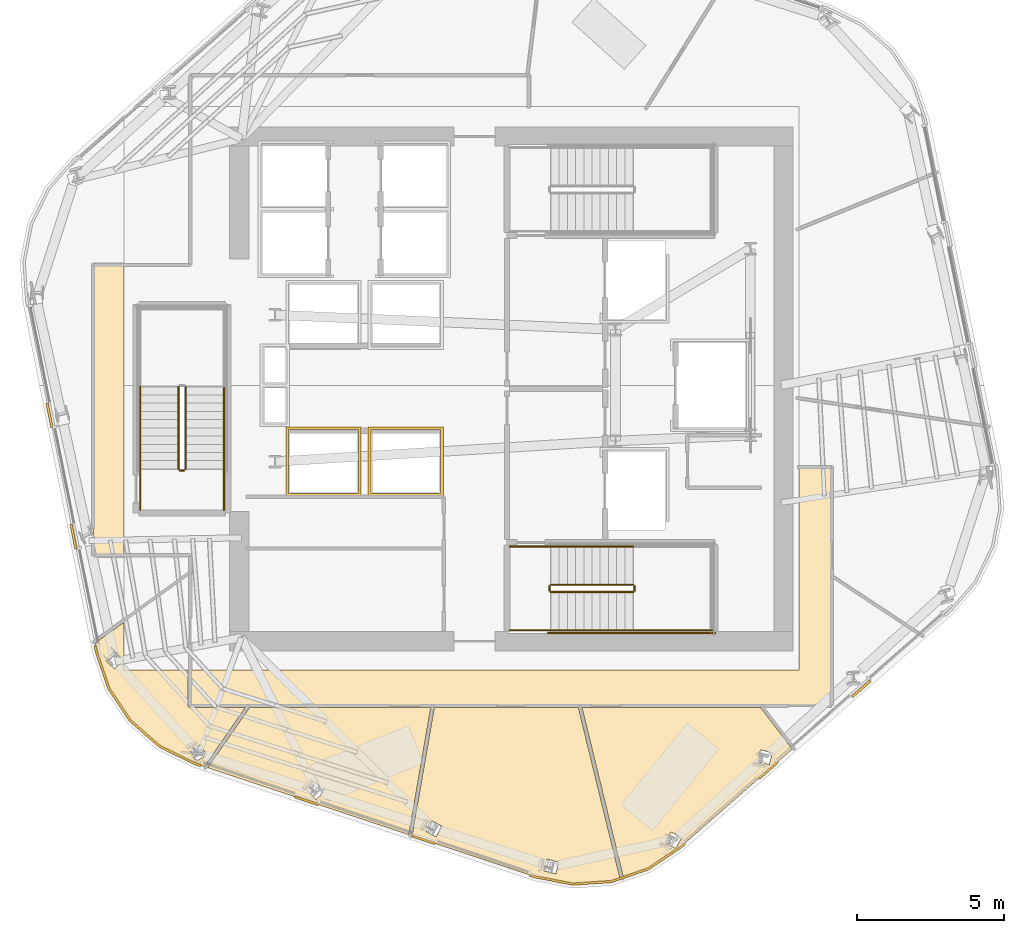
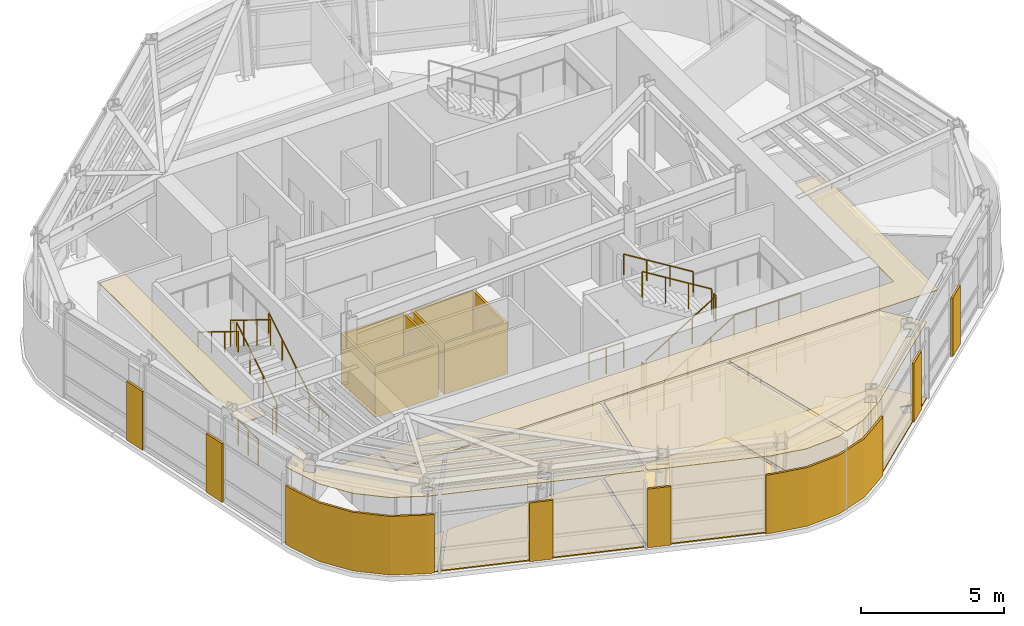
# One storey, part 11 of 15: 20 coverings, 17 railings.
"""IFC4 building model written with IfcOpenShell, lengths in metres."""

from ifc_helpers import new_model, si_unit, direction, frame, origin, origin_2d, place, context, subcontext, project, spatial, polyline, circle, outline, extrude, material, layer, layer_set, type_object, element, save


model = new_model("IFC4")

# Units and contexts
model_context = context("Model", 3, precision=1e-05, world=origin(), true_north=direction((0.0, 1.0)))
body_context = subcontext(model_context, "Body", "Model", "MODEL_VIEW")
ifc_project = project(units=[si_unit("LENGTHUNIT", "METRE"), si_unit("AREAUNIT", "SQUARE_METRE"), si_unit("VOLUMEUNIT", "CUBIC_METRE"), si_unit("PLANEANGLEUNIT", "RADIAN"), si_unit("MASSUNIT", "GRAM", prefix="KILO")], contexts=[model_context])

# Site, building, storey
site_placement = place(None, origin())
site = spatial("IfcSite", under=ifc_project, at=site_placement, CompositionType="ELEMENT")
building_placement = place(site_placement, origin())
building = spatial("IfcBuilding", under=site, at=building_placement, Name="Valkerne Bourse Tower", CompositionType="ELEMENT")
storey_placement = place(building_placement, frame((0.0, 0.0, 201.800048828125)))
storey = spatial("IfcBuildingStorey", under=building, at=storey_placement, Name="L51", CompositionType="ELEMENT", Elevation=201.800048828125)

# Coverings
ifc_material_1 = material(Name="Mineral Fiber Acoustic Ceiling Tile", Category="acoustic")
ifc_layer_1 = layer(ifc_material_1, 0.02490234375)
ifc_layer_set_1 = layer_set([ifc_layer_1], Name="Mineral Fiber Acoustic Ceiling Tile")
covering_type_1 = type_object("IfcCoveringType", Name="COV-CEIL-ACT", PredefinedType="CEILING", material=ifc_layer_set_1)
covering_1_placement = place(storey_placement, frame((0.0, 0.0, 3.25)))
element("IfcCovering", 1, at=covering_1_placement, inside=storey, type_object=covering_type_1, Name="L51 Suspended Ceiling 04", PredefinedType="CEILING", context=body_context, shape_type="SweptSolid", body=[
    extrude(outline(polyline([(33.8251953125, 15.561279296875), (33.08935546875, 16.656494140625), (32.658935546875, 17.913818359375), (32.601318359375, 18.2041015625), (33.60009765625, 18.925537109375), (33.60009765625, 17.300048828125), (35.781005859375, 17.300048828125), (35.781005859375, 16.07958984375), (35.787353515625, 16.05078125), (35.81396484375, 16.02099609375), (35.849365234375, 16.010986328125), (37.729248046875, 16.010986328125), (36.333740234375, 14.00244140625), (36.01318359375, 14.109375), (34.819580078125, 14.69384765625), (33.8251953125, 15.561279296875)]), holes=[polyline([(36.205322265625, 14.74755859375), (36.20361328125, 14.7490234375), (35.849609375, 14.538818359375), (36.060302734375, 14.182861328125), (36.06201171875, 14.181396484375), (36.416015625, 14.3916015625), (36.205322265625, 14.74755859375)]), polyline([(33.56689453125, 17.62548828125), (33.27197265625, 17.91162109375), (32.983154296875, 17.614501953125), (32.984619140625, 17.612548828125), (33.279296875, 17.326416015625), (33.568115234375, 17.623291015625), (33.56689453125, 17.62548828125)])]), origin(), (0.0, 0.0, 1.0), 0.02490234375),
])
covering_2_placement = place(storey_placement, frame((0.0, 0.0, 3.25)))
element("IfcCovering", 2, at=covering_2_placement, inside=storey, type_object=covering_type_1, Name="L51 Suspended Ceiling 05", PredefinedType="CEILING", context=body_context, shape_type="SweptSolid", body=[
    extrude(outline(polyline([(44.052001953125, 16.010986328125), (43.30419921875, 11.682373046875), (36.450439453125, 13.963623046875), (37.872802734375, 16.010986328125), (44.052001953125, 16.010986328125)]), holes=[polyline([(40.14111328125, 13.46728515625), (40.138916015625, 13.46826171875), (39.849853515625, 13.175048828125), (40.14404296875, 12.88427734375), (40.14599609375, 12.88330078125), (40.435302734375, 13.176513671875), (40.14111328125, 13.46728515625)])]), origin(), (0.0, 0.0, 1.0), 0.02490234375),
])
covering_3_placement = place(storey_placement, frame((0.0, 0.0, 3.25)))
element("IfcCovering", 3, at=covering_3_placement, inside=storey, type_object=covering_type_1, Name="L51 Suspended Ceiling 06", PredefinedType="CEILING", context=body_context, shape_type="SweptSolid", body=[
    extrude(outline(polyline([(50.6171875, 10.2294921875), (49.207763671875, 16.010986328125), (55.302001953125, 16.010986328125), (56.37451171875, 14.59814453125), (52.561279296875, 11.2587890625), (51.4580078125, 10.517333984375), (50.6171875, 10.2294921875)]), holes=[polyline([(52.603515625, 11.574462890625), (52.2451171875, 11.7763671875), (52.24267578125, 11.775634765625), (52.040283203125, 11.41455078125), (52.398681640625, 11.212646484375), (52.401123046875, 11.21337890625), (52.603515625, 11.574462890625)]), polyline([(55.6953125, 14.47119140625), (55.29736328125, 14.575439453125), (55.29541015625, 14.57421875), (55.19140625, 14.173583984375), (55.58935546875, 14.0693359375), (55.59130859375, 14.070556640625), (55.6953125, 14.47119140625)])]), origin(), (0.0, 0.0, 1.0), 0.02490234375),
])
covering_4_placement = place(storey_placement, frame((0.0, 0.0, 3.25)))
element("IfcCovering", 4, at=covering_4_placement, inside=storey, type_object=covering_type_1, Name="L51 Suspended Ceiling 07", PredefinedType="CEILING", context=body_context, shape_type="SweptSolid", body=[
    extrude(outline(polyline([(47.5888671875, 10.256103515625), (43.41748046875, 11.64453125), (44.171630859375, 16.010986328125), (49.086181640625, 16.010986328125), (50.5048828125, 10.191162109375), (50.209716796875, 10.090087890625), (48.89306640625, 10.000244140625), (47.5888671875, 10.256103515625)]), holes=[polyline([(44.071533203125, 12.16650390625), (44.0693359375, 12.1669921875), (43.870849609375, 11.80615234375), (44.23291015625, 11.606201171875), (44.235107421875, 11.60595703125), (44.43359375, 11.966552734375), (44.071533203125, 12.16650390625)]), polyline([(48.413818359375, 10.74609375), (48.012939453125, 10.84765625), (48.010498046875, 10.847412109375), (47.91015625, 10.447998046875), (48.31103515625, 10.3466796875), (48.3134765625, 10.3466796875), (48.413818359375, 10.74609375)])]), origin(), (0.0, 0.0, 1.0), 0.02490234375),
])
ifc_material_2 = material(Name="Bronze Anodised Aluminium AA 6063-T6", Category="aluminium")
ifc_layer_2 = layer(ifc_material_2, 0.030029296875)
ifc_layer_set_2 = layer_set([ifc_layer_2], Name="Bronze Anodised Aluminium AA 6063-T6")
covering_type_2 = type_object("IfcCoveringType", Name="COV-CEIL-METAL", PredefinedType="CEILING", material=ifc_layer_set_2)
covering_5_placement = place(storey_placement, frame((0.0, 0.0, 3.25)))
element("IfcCovering", 5, at=covering_5_placement, inside=storey, type_object=covering_type_2, Name="L51 Suspended Ceiling 01", PredefinedType="CEILING", context=body_context, shape_type="SweptSolid", body=[
    extrude(outline(polyline([(35.85400390625, 17.300048828125), (56.60009765625, 17.300048828125), (56.60009765625, 24.196044921875), (57.716064453125, 24.196044921875), (57.716064453125, 16.083984375), (35.85400390625, 16.083984375), (35.85400390625, 17.300048828125)])), origin(), (0.0, 0.0, 1.0), 0.02490234375),
])
covering_6_placement = place(storey_placement, frame((0.0, 0.0, 3.25)))
element("IfcCovering", 6, at=covering_6_placement, inside=storey, type_object=covering_type_2, Name="L51 Suspended Ceiling 02", PredefinedType="CEILING", context=body_context, shape_type="SweptSolid", body=[
    extrude(outline(polyline([(32.553955078125, 21.2041015625), (32.553955078125, 21.595458984375), (32.67138671875, 21.666259765625), (32.6708984375, 21.66845703125), (32.553955078125, 21.861572265625), (32.553955078125, 31.095947265625), (33.60009765625, 31.095947265625), (33.60009765625, 21.2041015625), (32.553955078125, 21.2041015625)])), origin(), (0.0, 0.0, 1.0), 0.02490234375),
])
ifc_layer_3 = layer(ifc_material_2, 0.06005859375)
ifc_layer_set_3 = layer_set([ifc_layer_3], Name="Bronze Anodised Aluminium AA 6063-T6")
covering_type_3 = type_object("IfcCoveringType", Name="COV-CRN-ALUM", PredefinedType="CLADDING", material=ifc_layer_set_3)
covering_7_placement = place(storey_placement, origin())
element("IfcCovering", 7, at=covering_7_placement, inside=storey, type_object=covering_type_3, Name="L51 Wind-Shaped Corner Aluminium Cladding 02", PredefinedType="CLADDING", context=body_context, shape_type="SweptSolid", body=[
    extrude(outline(polyline([(58.43896484375, 16.34765625), (58.385986328125, 16.40771484375), (59.01806640625, 16.961181640625), (59.07080078125, 16.901123046875), (58.43896484375, 16.34765625)])), origin(), (0.0, 0.0, 1.0), 2.5),
])
covering_8_placement = place(storey_placement, origin())
element("IfcCovering", 8, at=covering_8_placement, inside=storey, type_object=covering_type_3, Name="L51 Wind-Shaped Corner Aluminium Cladding 03", PredefinedType="CLADDING", context=body_context, shape_type="SweptSolid", body=[
    extrude(outline(polyline([(55.270263671875, 13.57275390625), (55.21728515625, 13.6328125), (55.849365234375, 14.18603515625), (55.902099609375, 14.126220703125), (55.270263671875, 13.57275390625)])), origin(), (0.0, 0.0, 1.0), 2.5),
])
covering_9_placement = place(storey_placement, origin())
element("IfcCovering", 9, at=covering_9_placement, inside=storey, type_object=covering_type_3, Name="L51 Wind-Shaped Corner Aluminium Cladding 04", PredefinedType="CLADDING", context=body_context, shape_type="SweptSolid", body=[
    extrude(outline(polyline([(52.58837890625, 11.223876953125), (51.477783203125, 10.4775390625), (50.218505859375, 10.04638671875), (48.890380859375, 9.9560546875), (47.577392578125, 10.213623046875), (47.394287109375, 10.274658203125), (47.419921875, 10.350341796875), (47.597900390625, 10.291015625), (48.8955078125, 10.03662109375), (50.202392578125, 10.12548828125), (51.44189453125, 10.5498046875), (52.53955078125, 11.28759765625), (52.6806640625, 11.4111328125), (52.7333984375, 11.35107421875), (52.58837890625, 11.223876953125)])), origin(), (0.0, 0.0, 1.0), 2.5),
])
covering_10_placement = place(storey_placement, origin())
element("IfcCovering", 10, at=covering_10_placement, inside=storey, type_object=covering_type_3, Name="L51 Wind-Shaped Corner Aluminium Cladding 05", PredefinedType="CLADDING", context=body_context, shape_type="SweptSolid", body=[
    extrude(outline(polyline([(43.39794921875, 11.604736328125), (43.42333984375, 11.6806640625), (44.220458984375, 11.415283203125), (44.19482421875, 11.339599609375), (43.39794921875, 11.604736328125)])), origin(), (0.0, 0.0, 1.0), 2.5),
])
covering_11_placement = place(storey_placement, origin())
element("IfcCovering", 11, at=covering_11_placement, inside=storey, type_object=covering_type_3, Name="L51 Wind-Shaped Corner Aluminium Cladding 06", PredefinedType="CLADDING", context=body_context, shape_type="SweptSolid", body=[
    extrude(outline(polyline([(39.4013671875, 12.93505859375), (39.427001953125, 13.010986328125), (40.223876953125, 12.74560546875), (40.198486328125, 12.669921875), (39.4013671875, 12.93505859375)])), origin(), (0.0, 0.0, 1.0), 2.5),
])
covering_12_placement = place(storey_placement, origin())
element("IfcCovering", 12, at=covering_12_placement, inside=storey, type_object=covering_type_3, Name="L51 Wind-Shaped Corner Aluminium Cladding 07", PredefinedType="CLADDING", context=body_context, shape_type="SweptSolid", body=[
    extrude(outline(polyline([(35.996337890625, 14.068603515625), (34.795166015625, 14.656982421875), (33.7919921875, 15.531982421875), (33.049560546875, 16.63671875), (32.6162109375, 17.902099609375), (32.57421875, 18.11474609375), (32.652587890625, 18.130615234375), (32.693603515625, 17.923095703125), (33.121826171875, 16.672607421875), (33.8525390625, 15.585205078125), (34.83984375, 14.72412109375), (36.026611328125, 14.142578125), (36.2275390625, 14.07568359375), (36.201904296875, 14.0), (35.996337890625, 14.068603515625)])), origin(), (0.0, 0.0, 1.0), 2.5),
])
covering_13_placement = place(storey_placement, origin())
element("IfcCovering", 13, at=covering_13_placement, inside=storey, type_object=covering_type_3, Name="L51 Wind-Shaped Corner Aluminium Cladding 08", PredefinedType="CLADDING", context=body_context, shape_type="SweptSolid", body=[
    extrude(outline(polyline([(31.75537109375, 22.24658203125), (31.833740234375, 22.26220703125), (31.9970703125, 21.4384765625), (31.918701171875, 21.422607421875), (31.75537109375, 22.24658203125)])), origin(), (0.0, 0.0, 1.0), 2.5),
])
covering_14_placement = place(storey_placement, origin())
element("IfcCovering", 14, at=covering_14_placement, inside=storey, type_object=covering_type_3, Name="L51 Wind-Shaped Corner Aluminium Cladding 09", PredefinedType="CLADDING", context=body_context, shape_type="SweptSolid", body=[
    extrude(outline(polyline([(30.936279296875, 26.378173828125), (31.014892578125, 26.39404296875), (31.17822265625, 25.570068359375), (31.099609375, 25.55419921875), (30.936279296875, 26.378173828125)])), origin(), (0.0, 0.0, 1.0), 2.5),
])
ifc_material_3 = material(Name="Galvanised Painted Steel", Category="steel")
ifc_layer_4 = layer(ifc_material_3, 0.044921875)
ifc_layer_set_4 = layer_set([ifc_layer_4], Name="Galvanised Painted Steel")
covering_type_4 = type_object("IfcCoveringType", Name="COV-FLR-RAF", PredefinedType="FLOORING", material=ifc_layer_set_4)
covering_15_placement = place(storey_placement, origin())
element("IfcCovering", 15, at=covering_15_placement, inside=storey, type_object=covering_type_4, Name="L51 Floor Finish 05", PredefinedType="FLOORING", context=body_context, shape_type="SweptSolid", body=[
    extrude(outline(polyline([(44.052001953125, 16.010986328125), (43.30419921875, 11.682373046875), (36.450439453125, 13.963623046875), (37.872802734375, 16.010986328125), (44.052001953125, 16.010986328125)]), holes=[polyline([(40.14111328125, 13.46728515625), (40.138916015625, 13.46826171875), (39.849853515625, 13.175048828125), (40.14404296875, 12.88427734375), (40.14599609375, 12.88330078125), (40.435302734375, 13.176513671875), (40.14111328125, 13.46728515625)])]), origin(), (0.0, 0.0, 1.0), 0.044921875),
])
covering_16_placement = place(storey_placement, origin())
element("IfcCovering", 16, at=covering_16_placement, inside=storey, type_object=covering_type_4, Name="L51 Floor Finish 06", PredefinedType="FLOORING", context=body_context, shape_type="SweptSolid", body=[
    extrude(outline(polyline([(50.6171875, 10.2294921875), (49.207763671875, 16.010986328125), (55.302001953125, 16.010986328125), (56.37451171875, 14.59814453125), (52.561279296875, 11.2587890625), (51.4580078125, 10.517333984375), (50.6171875, 10.2294921875)]), holes=[polyline([(52.603515625, 11.574462890625), (52.2451171875, 11.7763671875), (52.24267578125, 11.775634765625), (52.040283203125, 11.41455078125), (52.398681640625, 11.212646484375), (52.401123046875, 11.21337890625), (52.603515625, 11.574462890625)]), polyline([(55.6953125, 14.47119140625), (55.29736328125, 14.575439453125), (55.29541015625, 14.57421875), (55.19140625, 14.173583984375), (55.58935546875, 14.0693359375), (55.59130859375, 14.070556640625), (55.6953125, 14.47119140625)])]), origin(), (0.0, 0.0, 1.0), 0.044921875),
])
covering_17_placement = place(storey_placement, origin())
element("IfcCovering", 17, at=covering_17_placement, inside=storey, type_object=covering_type_4, Name="L51 Floor Finish 07", PredefinedType="FLOORING", context=body_context, shape_type="SweptSolid", body=[
    extrude(outline(polyline([(47.5888671875, 10.256103515625), (43.41748046875, 11.64453125), (44.171630859375, 16.010986328125), (49.086181640625, 16.010986328125), (50.5048828125, 10.191162109375), (50.209716796875, 10.090087890625), (48.89306640625, 10.000244140625), (47.5888671875, 10.256103515625)]), holes=[polyline([(44.071533203125, 12.16650390625), (44.0693359375, 12.1669921875), (43.870849609375, 11.80615234375), (44.23291015625, 11.606201171875), (44.235107421875, 11.60595703125), (44.43359375, 11.966552734375), (44.071533203125, 12.16650390625)]), polyline([(48.413818359375, 10.74609375), (48.012939453125, 10.84765625), (48.010498046875, 10.847412109375), (47.91015625, 10.447998046875), (48.31103515625, 10.3466796875), (48.3134765625, 10.3466796875), (48.413818359375, 10.74609375)])]), origin(), (0.0, 0.0, 1.0), 0.044921875),
])
ifc_material_4 = material(Name="Polished Granite Stone", Category="masonry")
ifc_layer_5 = layer(ifc_material_4, 0.030029296875)
ifc_layer_set_5 = layer_set([ifc_layer_5], Name="Polished Granite Stone")
covering_type_5 = type_object("IfcCoveringType", Name="COV-FLR-TERRAZZO", PredefinedType="FLOORING", material=ifc_layer_set_5)
covering_18_placement = place(storey_placement, origin())
element("IfcCovering", 18, at=covering_18_placement, inside=storey, type_object=covering_type_5, Name="L51 Floor Finish 04", PredefinedType="FLOORING", context=body_context, shape_type="SweptSolid", body=[
    extrude(outline(polyline([(33.8251953125, 15.561279296875), (33.08935546875, 16.656494140625), (32.658935546875, 17.913818359375), (32.601318359375, 18.2041015625), (33.60009765625, 18.925537109375), (33.60009765625, 17.300048828125), (35.781005859375, 17.300048828125), (35.781005859375, 16.07958984375), (35.787353515625, 16.05078125), (35.81396484375, 16.02099609375), (35.849365234375, 16.010986328125), (37.729248046875, 16.010986328125), (36.333740234375, 14.00244140625), (36.01318359375, 14.109375), (34.819580078125, 14.69384765625), (33.8251953125, 15.561279296875)]), holes=[polyline([(36.205322265625, 14.74755859375), (36.20361328125, 14.7490234375), (35.849609375, 14.538818359375), (36.060302734375, 14.182861328125), (36.06201171875, 14.181396484375), (36.416015625, 14.3916015625), (36.205322265625, 14.74755859375)]), polyline([(33.56689453125, 17.62548828125), (33.27197265625, 17.91162109375), (32.983154296875, 17.614501953125), (32.984619140625, 17.612548828125), (33.279296875, 17.326416015625), (33.568115234375, 17.623291015625), (33.56689453125, 17.62548828125)])]), origin(), (0.0, 0.0, 1.0), 0.030029296875),
])
ifc_material_5 = material(Name="Gypsum Shaftwall Liner Board", Category="gypsum")
ifc_layer_6 = layer(ifc_material_5, 0.080078125)
ifc_layer_set_6 = layer_set([ifc_layer_6], Name="Gypsum Shaftwall Liner Board")
covering_type_6 = type_object("IfcCoveringType", Name="COV-SHF-CLAD", PredefinedType="CLADDING", material=ifc_layer_set_6)
covering_19_placement = place(storey_placement, origin())
element("IfcCovering", 19, at=covering_19_placement, inside=storey, type_object=covering_type_6, Name="L51 Hoistway & Riser Shaftwall Liner 01", PredefinedType="CLADDING", context=body_context, shape_type="SweptSolid", body=[
    extrude(outline(polyline([(41.679931640625, 25.580078125), (41.679931640625, 23.219970703125), (39.1201171875, 23.219970703125), (39.1201171875, 25.580078125), (41.679931640625, 25.580078125)]), holes=[polyline([(41.590087890625, 25.489990234375), (39.2099609375, 25.489990234375), (39.2099609375, 23.31005859375), (41.590087890625, 23.31005859375), (41.590087890625, 25.489990234375)])]), origin(), (0.0, 0.0, 1.0), 2.179931640625),
])
covering_20_placement = place(storey_placement, origin())
element("IfcCovering", 20, at=covering_20_placement, inside=storey, type_object=covering_type_6, Name="L51 Hoistway & Riser Shaftwall Liner 02", PredefinedType="CLADDING", context=body_context, shape_type="SweptSolid", body=[
    extrude(outline(polyline([(44.47998046875, 23.219970703125), (41.919921875, 23.219970703125), (41.919921875, 25.580078125), (44.47998046875, 25.580078125), (44.47998046875, 23.219970703125)]), holes=[polyline([(42.010009765625, 25.489990234375), (42.010009765625, 23.31005859375), (44.389892578125, 23.31005859375), (44.389892578125, 25.489990234375), (42.010009765625, 25.489990234375)])]), origin(), (0.0, 0.0, 1.0), 2.179931640625),
])

# Railings
railing_type_1 = type_object("IfcRailingType", Name="RLG-ST-GUARD-1120", PredefinedType="GUARDRAIL", material=ifc_material_3)
railing_1_placement = place(storey_placement, frame((48.14990234375, 19.949951171875, 0.172607421875)))
element("IfcRailing", 21, at=railing_1_placement, inside=storey, type_object=railing_type_1, Name="L51 ST-1 stair guard 1", PredefinedType="GUARDRAIL", context=body_context, shape_type="SweptSolid", body=[
    extrude(circle(Radius=0.02392578125, at=origin_2d()), frame((0.0, 0.0, 1.09619140625), z_axis=(0.851089632645, 0.0, 0.525020415988), x_axis=(0.0, 1.0, 0.0)), (0.0, 0.0, 1.0), 3.2900390625),
    extrude(circle(Radius=0.02099609375, at=origin_2d()), origin(), (0.0, 0.0, 1.0), 1.072021484375),
    extrude(circle(Radius=0.02099609375, at=origin_2d()), frame((0.933349609375, 0.0, 0.57568359375)), (0.0, 0.0, 1.0), 1.072021484375),
    extrude(circle(Radius=0.02099609375, at=origin_2d()), frame((1.86669921875, 0.0, 1.151611328125)), (0.0, 0.0, 1.0), 1.072021484375),
    extrude(circle(Radius=0.02099609375, at=origin_2d()), frame((2.800048828125, 0.0, 1.727294921875)), (0.0, 0.0, 1.0), 1.072021484375),
])
railing_2_placement = place(storey_placement, frame((51.0, 20.0, 1.89990234375)))
element("IfcRailing", 22, at=railing_2_placement, inside=storey, type_object=railing_type_1, Name="L51 ST-1 stair guard 2", PredefinedType="GUARDRAIL", context=body_context, shape_type="SweptSolid", body=[
    extrude(circle(Radius=0.02392578125, at=origin_2d()), frame((0.0, 0.0, 1.09619140625), z_axis=(0.0, 1.0, 0.0), x_axis=(-1.0, 0.0, 0.0)), (0.0, 0.0, 1.0), 0.14990234375),
    extrude(circle(Radius=0.02099609375, at=origin_2d()), origin(), (0.0, 0.0, 1.0), 1.072021484375),
    extrude(circle(Radius=0.02099609375, at=origin_2d()), frame((0.0, 0.14990234375, 0.0)), (0.0, 0.0, 1.0), 1.072021484375),
])
railing_3_placement = place(storey_placement, frame((50.949951171875, 18.64990234375, 1.89990234375)))
element("IfcRailing", 23, at=railing_3_placement, inside=storey, type_object=railing_type_1, Name="L51 ST-1 stair guard 3", PredefinedType="GUARDRAIL", context=body_context, shape_type="SweptSolid", body=[
    extrude(circle(Radius=0.02392578125, at=origin_2d()), frame((0.0, 0.0, 1.09619140625), z_axis=(1.0, 0.0, 0.0), x_axis=(0.0, 1.0, 0.0)), (0.0, 0.0, 1.0), 2.699951171875),
    extrude(circle(Radius=0.02099609375, at=origin_2d()), origin(), (0.0, 0.0, 1.0), 1.072021484375),
    extrude(circle(Radius=0.02099609375, at=origin_2d()), frame((0.89990234375, 0.0, 0.0)), (0.0, 0.0, 1.0), 1.072021484375),
    extrude(circle(Radius=0.02099609375, at=origin_2d()), frame((1.800048828125, 0.0, 0.0)), (0.0, 0.0, 1.0), 1.072021484375),
    extrude(circle(Radius=0.02099609375, at=origin_2d()), frame((2.699951171875, 0.0, 0.0)), (0.0, 0.0, 1.0), 1.072021484375),
])
railing_4_placement = place(storey_placement, frame((50.949951171875, 20.199951171875, 2.07275390625)))
element("IfcRailing", 24, at=railing_4_placement, inside=storey, type_object=railing_type_1, Name="L51 ST-1 stair guard 6", PredefinedType="GUARDRAIL", context=body_context, shape_type="SweptSolid", body=[
    extrude(circle(Radius=0.02392578125, at=origin_2d()), frame((0.0, 0.0, 1.09619140625), z_axis=(-0.851089632645, 0.0, 0.525020415988), x_axis=(0.0, -1.0, 0.0)), (0.0, 0.0, 1.0), 3.2900390625),
    extrude(circle(Radius=0.02099609375, at=origin_2d()), origin(), (0.0, 0.0, 1.0), 1.072021484375),
    extrude(circle(Radius=0.02099609375, at=origin_2d()), frame((-0.933349609375, 0.0, 0.57568359375)), (0.0, 0.0, 1.0), 1.072021484375),
    extrude(circle(Radius=0.02099609375, at=origin_2d()), frame((-1.86669921875, 0.0, 1.151611328125)), (0.0, 0.0, 1.0), 1.072021484375),
    extrude(circle(Radius=0.02099609375, at=origin_2d()), frame((-2.800048828125, 0.0, 1.727294921875)), (0.0, 0.0, 1.0), 1.072021484375),
])
railing_5_placement = place(storey_placement, frame((48.10009765625, 20.0, 0.0)))
element("IfcRailing", 25, at=railing_5_placement, inside=storey, type_object=railing_type_1, Name="L51 ST-1 stair guard 7", PredefinedType="GUARDRAIL", context=body_context, shape_type="SweptSolid", body=[
    extrude(circle(Radius=0.02392578125, at=origin_2d()), frame((0.0, 0.0, 1.09619140625), z_axis=(0.0, 1.0, 0.0), x_axis=(-1.0, 0.0, 0.0)), (0.0, 0.0, 1.0), 0.14990234375),
    extrude(circle(Radius=0.02099609375, at=origin_2d()), origin(), (0.0, 0.0, 1.0), 1.072021484375),
    extrude(circle(Radius=0.02099609375, at=origin_2d()), frame((0.0, 0.14990234375, 0.0)), (0.0, 0.0, 1.0), 1.072021484375),
])
for number, where, name in (
    (26, (46.75, 18.64990234375, 0.0), "L51 ST-1 stair guard 8"),
    (27, (46.75, 21.5, 0.0), "L51 ST-1 stair guard 9"),
):
    element("IfcRailing", number, at=place(storey_placement, frame(where)), inside=storey, type_object=railing_type_1, Name=name, PredefinedType="GUARDRAIL", context=body_context, shape_type="SweptSolid", body=[
        extrude(circle(Radius=0.02392578125, at=origin_2d()), frame((0.0, 0.0, 1.09619140625), z_axis=(1.0, 0.0, 0.0), x_axis=(0.0, 1.0, 0.0)), (0.0, 0.0, 1.0), 1.39990234375),
        extrude(circle(Radius=0.02099609375, at=origin_2d()), origin(), (0.0, 0.0, 1.0), 1.072021484375),
        extrude(circle(Radius=0.02099609375, at=origin_2d()), frame((0.699951171875, 0.0, 0.0)), (0.0, 0.0, 1.0), 1.072021484375),
        extrude(circle(Radius=0.02099609375, at=origin_2d()), frame((1.39990234375, 0.0, 0.0)), (0.0, 0.0, 1.0), 1.072021484375),
    ])
railing_6_placement = place(storey_placement, frame((48.050048828125, 18.550048828125, 0.0)))
element("IfcRailing", 28, at=railing_6_placement, inside=storey, type_object=railing_type_1, Name="L51 ST-1 stair guard 10", PredefinedType="GUARDRAIL", context=body_context, shape_type="SweptSolid", body=[
    extrude(circle(Radius=0.02392578125, at=origin_2d()), frame((0.0, 0.0, 1.09619140625), z_axis=(1.0, 0.0, 0.0), x_axis=(0.0, 1.0, 0.0)), (0.0, 0.0, 1.0), 5.699951171875),
    extrude(circle(Radius=0.02099609375, at=origin_2d()), origin(), (0.0, 0.0, 1.0), 1.072021484375),
    extrude(circle(Radius=0.02099609375, at=origin_2d()), frame((1.139892578125, 0.0, 0.0)), (0.0, 0.0, 1.0), 1.072021484375),
    extrude(circle(Radius=0.02099609375, at=origin_2d()), frame((2.280029296875, 0.0, 0.0)), (0.0, 0.0, 1.0), 1.072021484375),
    extrude(circle(Radius=0.02099609375, at=origin_2d()), frame((3.419921875, 0.0, 0.0)), (0.0, 0.0, 1.0), 1.072021484375),
    extrude(circle(Radius=0.02099609375, at=origin_2d()), frame((4.56005859375, 0.0, 0.0)), (0.0, 0.0, 1.0), 1.072021484375),
    extrude(circle(Radius=0.02099609375, at=origin_2d()), frame((5.699951171875, 0.0, 0.0)), (0.0, 0.0, 1.0), 1.072021484375),
])
railing_7_placement = place(storey_placement, frame((35.699951171875, 24.14990234375, 0.172607421875)))
element("IfcRailing", 29, at=railing_7_placement, inside=storey, type_object=railing_type_1, Name="L51 ST-3 stair guard 1", PredefinedType="GUARDRAIL", context=body_context, shape_type="SweptSolid", body=[
    extrude(circle(Radius=0.02392578125, at=origin_2d()), frame((0.0, 0.0, 1.09619140625), z_axis=(0.0, 0.851089632645, 0.525020415988), x_axis=(-1.0, 0.0, 0.0)), (0.0, 0.0, 1.0), 3.2900390625),
    extrude(circle(Radius=0.02099609375, at=origin_2d()), origin(), (0.0, 0.0, 1.0), 1.072021484375),
    extrude(circle(Radius=0.02099609375, at=origin_2d()), frame((0.0, 0.933349609375, 0.57568359375)), (0.0, 0.0, 1.0), 1.072021484375),
    extrude(circle(Radius=0.02099609375, at=origin_2d()), frame((0.0, 1.86669921875, 1.151611328125)), (0.0, 0.0, 1.0), 1.072021484375),
    extrude(circle(Radius=0.02099609375, at=origin_2d()), frame((0.0, 2.800048828125, 1.727294921875)), (0.0, 0.0, 1.0), 1.072021484375),
])
railing_8_placement = place(storey_placement, frame((35.449951171875, 26.949951171875, 2.07275390625)))
element("IfcRailing", 30, at=railing_8_placement, inside=storey, type_object=railing_type_1, Name="L51 ST-3 stair guard 6", PredefinedType="GUARDRAIL", context=body_context, shape_type="SweptSolid", body=[
    extrude(circle(Radius=0.02392578125, at=origin_2d()), frame((0.0, 0.0, 1.09619140625), z_axis=(0.0, -0.851089632645, 0.525020415988), x_axis=(1.0, 0.0, 0.0)), (0.0, 0.0, 1.0), 3.2900390625),
    extrude(circle(Radius=0.02099609375, at=origin_2d()), origin(), (0.0, 0.0, 1.0), 1.072021484375),
    extrude(circle(Radius=0.02099609375, at=origin_2d()), frame((0.0, -0.933349609375, 0.57568359375)), (0.0, 0.0, 1.0), 1.072021484375),
    extrude(circle(Radius=0.02099609375, at=origin_2d()), frame((0.0, -1.86669921875, 1.151611328125)), (0.0, 0.0, 1.0), 1.072021484375),
    extrude(circle(Radius=0.02099609375, at=origin_2d()), frame((0.0, -2.800048828125, 1.727294921875)), (0.0, 0.0, 1.0), 1.072021484375),
])
railing_9_placement = place(storey_placement, frame((35.64990234375, 24.10009765625, 0.0)))
element("IfcRailing", 31, at=railing_9_placement, inside=storey, type_object=railing_type_1, Name="L51 ST-3 stair guard 7", PredefinedType="GUARDRAIL", context=body_context, shape_type="SweptSolid", body=[
    extrude(circle(Radius=0.02392578125, at=origin_2d()), frame((0.0, 0.0, 1.09619140625), z_axis=(-1.0, 0.0, 0.0), x_axis=(0.0, -1.0, 0.0)), (0.0, 0.0, 1.0), 0.14990234375),
    extrude(circle(Radius=0.02099609375, at=origin_2d()), origin(), (0.0, 0.0, 1.0), 1.072021484375),
    extrude(circle(Radius=0.02099609375, at=origin_2d()), frame((-0.14990234375, 0.0, 0.0)), (0.0, 0.0, 1.0), 1.072021484375),
])
for number, where, name in (
    (32, (37.0, 22.75, 0.0), "L51 ST-3 stair guard 8"),
    (33, (34.14990234375, 22.75, 0.0), "L51 ST-3 stair guard 9"),
):
    element("IfcRailing", number, at=place(storey_placement, frame(where)), inside=storey, type_object=railing_type_1, Name=name, PredefinedType="GUARDRAIL", context=body_context, shape_type="SweptSolid", body=[
        extrude(circle(Radius=0.02392578125, at=origin_2d()), frame((0.0, 0.0, 1.09619140625), z_axis=(0.0, 1.0, 0.0), x_axis=(-1.0, 0.0, 0.0)), (0.0, 0.0, 1.0), 1.39990234375),
        extrude(circle(Radius=0.02099609375, at=origin_2d()), origin(), (0.0, 0.0, 1.0), 1.072021484375),
        extrude(circle(Radius=0.02099609375, at=origin_2d()), frame((0.0, 0.699951171875, 0.0)), (0.0, 0.0, 1.0), 1.072021484375),
        extrude(circle(Radius=0.02099609375, at=origin_2d()), frame((0.0, 1.39990234375, 0.0)), (0.0, 0.0, 1.0), 1.072021484375),
    ])
ifc_material_6 = material(Name="Stainless Steel AISI 316", Category="steel")
railing_type_2 = type_object("IfcRailingType", Name="RLG-ST-HANDRAIL-900", PredefinedType="HANDRAIL", material=ifc_material_6)
railing_10_placement = place(storey_placement, frame((48.14990234375, 18.64990234375, 0.345458984375)))
element("IfcRailing", 34, at=railing_10_placement, inside=storey, type_object=railing_type_2, Name="L51 ST-1 stair handrail 1", PredefinedType="HANDRAIL", context=body_context, shape_type="SweptSolid", body=[
    extrude(circle(Radius=0.02392578125, at=origin_2d()), frame((0.0, 0.0, 0.8759765625), z_axis=(0.851089632645, 0.0, 0.525020415988), x_axis=(0.0, 1.0, 0.0)), (0.0, 0.0, 1.0), 3.2900390625),
    extrude(circle(Radius=0.02099609375, at=origin_2d()), origin(), (0.0, 0.0, 1.0), 0.851806640625),
    extrude(circle(Radius=0.02099609375, at=origin_2d()), frame((0.933349609375, 0.0, 0.57568359375)), (0.0, 0.0, 1.0), 0.851806640625),
    extrude(circle(Radius=0.02099609375, at=origin_2d()), frame((1.86669921875, 0.0, 1.151611328125)), (0.0, 0.0, 1.0), 0.851806640625),
    extrude(circle(Radius=0.02099609375, at=origin_2d()), frame((2.800048828125, 0.0, 1.727294921875)), (0.0, 0.0, 1.0), 0.851806640625),
])
railing_11_placement = place(storey_placement, frame((50.949951171875, 21.5, 2.245361328125)))
element("IfcRailing", 35, at=railing_11_placement, inside=storey, type_object=railing_type_2, Name="L51 ST-1 stair handrail 2", PredefinedType="HANDRAIL", context=body_context, shape_type="SweptSolid", body=[
    extrude(circle(Radius=0.02392578125, at=origin_2d()), frame((0.0, 0.0, 0.8759765625), z_axis=(-0.851089632645, 0.0, 0.525020415988), x_axis=(0.0, -1.0, 0.0)), (0.0, 0.0, 1.0), 3.2900390625),
    extrude(circle(Radius=0.02099609375, at=origin_2d()), origin(), (0.0, 0.0, 1.0), 0.851806640625),
    extrude(circle(Radius=0.02099609375, at=origin_2d()), frame((-0.933349609375, 0.0, 0.57568359375)), (0.0, 0.0, 1.0), 0.851806640625),
    extrude(circle(Radius=0.02099609375, at=origin_2d()), frame((-1.86669921875, 0.0, 1.151611328125)), (0.0, 0.0, 1.0), 0.851806640625),
    extrude(circle(Radius=0.02099609375, at=origin_2d()), frame((-2.800048828125, 0.0, 1.727294921875)), (0.0, 0.0, 1.0), 0.851806640625),
])
railing_12_placement = place(storey_placement, frame((37.0, 24.14990234375, 0.345458984375)))
element("IfcRailing", 36, at=railing_12_placement, inside=storey, type_object=railing_type_2, Name="L51 ST-3 stair handrail 1", PredefinedType="HANDRAIL", context=body_context, shape_type="SweptSolid", body=[
    extrude(circle(Radius=0.02392578125, at=origin_2d()), frame((0.0, 0.0, 0.8759765625), z_axis=(0.0, 0.851089632645, 0.525020415988), x_axis=(-1.0, 0.0, 0.0)), (0.0, 0.0, 1.0), 3.2900390625),
    extrude(circle(Radius=0.02099609375, at=origin_2d()), origin(), (0.0, 0.0, 1.0), 0.851806640625),
    extrude(circle(Radius=0.02099609375, at=origin_2d()), frame((0.0, 0.933349609375, 0.57568359375)), (0.0, 0.0, 1.0), 0.851806640625),
    extrude(circle(Radius=0.02099609375, at=origin_2d()), frame((0.0, 1.86669921875, 1.151611328125)), (0.0, 0.0, 1.0), 0.851806640625),
    extrude(circle(Radius=0.02099609375, at=origin_2d()), frame((0.0, 2.800048828125, 1.727294921875)), (0.0, 0.0, 1.0), 0.851806640625),
])
railing_13_placement = place(storey_placement, frame((34.14990234375, 26.949951171875, 2.245361328125)))
element("IfcRailing", 37, at=railing_13_placement, inside=storey, type_object=railing_type_2, Name="L51 ST-3 stair handrail 2", PredefinedType="HANDRAIL", context=body_context, shape_type="SweptSolid", body=[
    extrude(circle(Radius=0.02392578125, at=origin_2d()), frame((0.0, 0.0, 0.8759765625), z_axis=(0.0, -0.851089632645, 0.525020415988), x_axis=(1.0, 0.0, 0.0)), (0.0, 0.0, 1.0), 3.2900390625),
    extrude(circle(Radius=0.02099609375, at=origin_2d()), origin(), (0.0, 0.0, 1.0), 0.851806640625),
    extrude(circle(Radius=0.02099609375, at=origin_2d()), frame((0.0, -0.933349609375, 0.57568359375)), (0.0, 0.0, 1.0), 0.851806640625),
    extrude(circle(Radius=0.02099609375, at=origin_2d()), frame((0.0, -1.86669921875, 1.151611328125)), (0.0, 0.0, 1.0), 0.851806640625),
    extrude(circle(Radius=0.02099609375, at=origin_2d()), frame((0.0, -2.800048828125, 1.727294921875)), (0.0, 0.0, 1.0), 0.851806640625),
])

save(model, "model.ifc")
